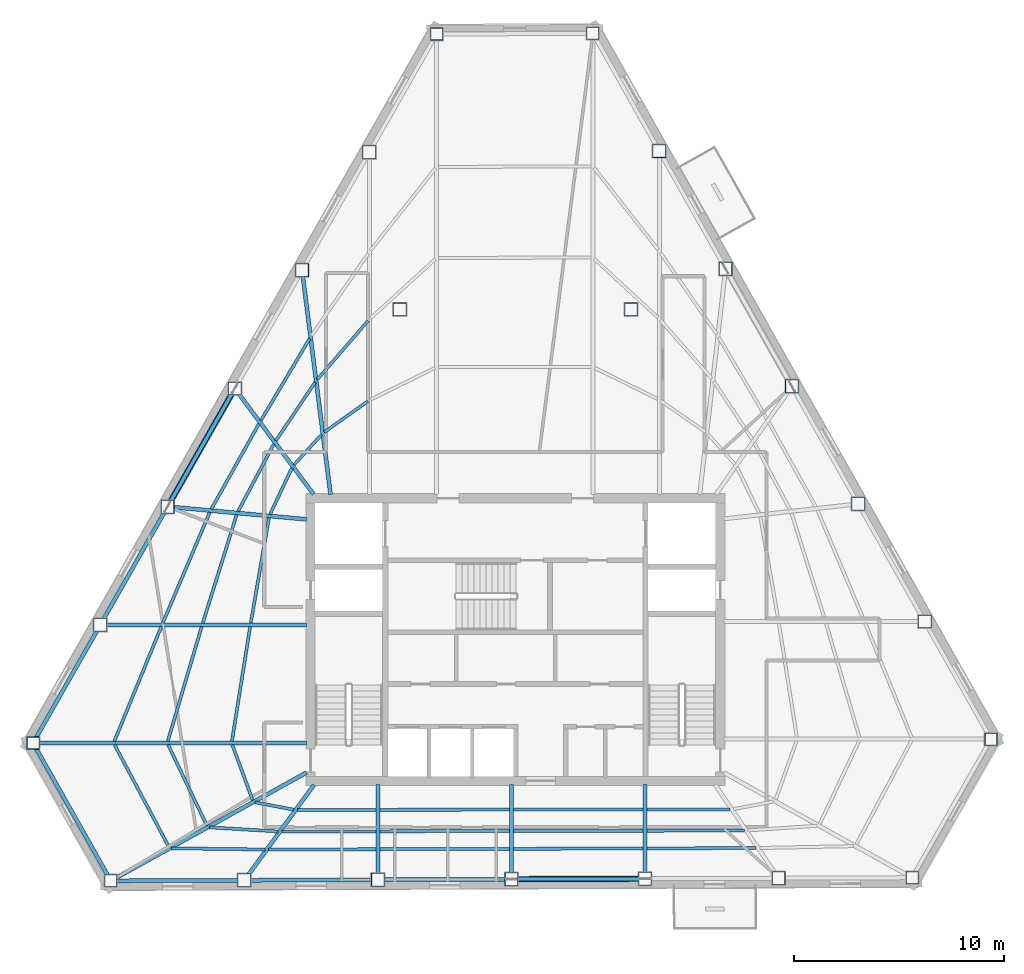
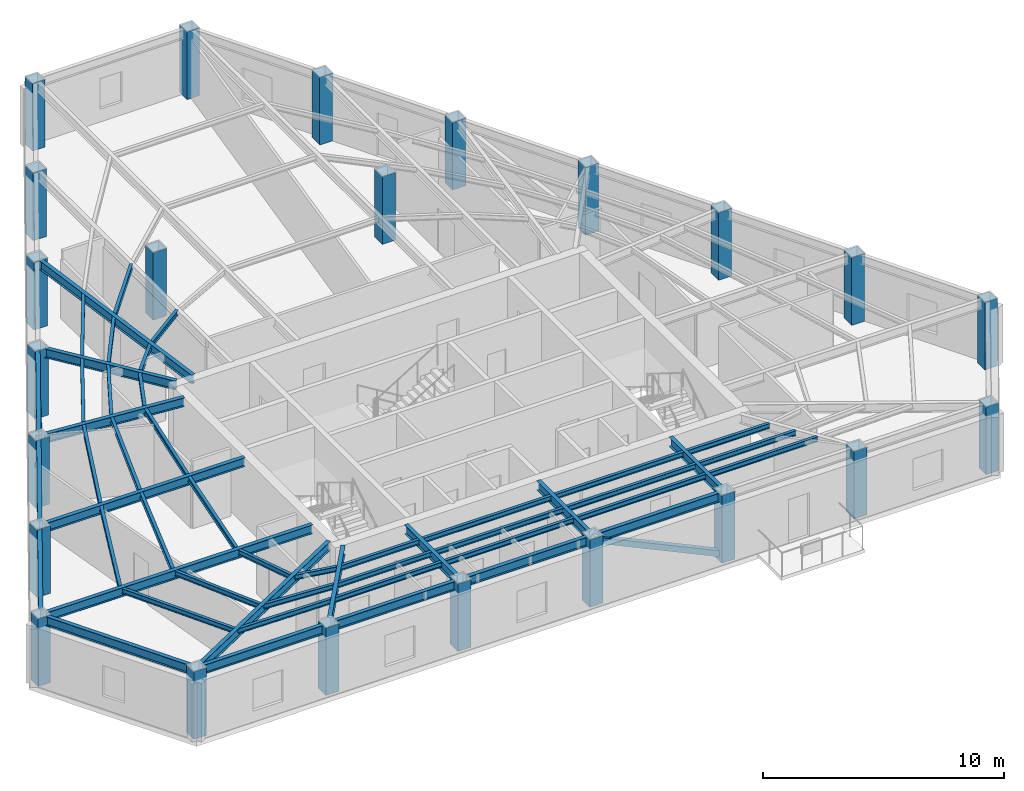
# One storey, part 1 of 10: 50 beams, 23 columns, 2 members.
"""IFC4 building model written with IfcOpenShell, lengths in metres."""

from ifc_helpers import new_model, si_unit, direction, frame, origin, origin_2d, place, context, subcontext, project, spatial, hollow_rectangle, i_section, extrude, material, material_profile, profile_set, type_object, element, save


model = new_model("IFC4")

# Units and contexts
model_context = context("Model", 3, precision=1e-05, world=origin(), true_north=direction((0.0, 1.0)))
body_context = subcontext(model_context, "Body", "Model", "MODEL_VIEW")
ifc_project = project(units=[si_unit("LENGTHUNIT", "METRE"), si_unit("AREAUNIT", "SQUARE_METRE"), si_unit("VOLUMEUNIT", "CUBIC_METRE"), si_unit("PLANEANGLEUNIT", "RADIAN"), si_unit("MASSUNIT", "GRAM", prefix="KILO")], contexts=[model_context])

# Site, building, storey
site_placement = place(None, origin())
site = spatial("IfcSite", under=ifc_project, at=site_placement, CompositionType="ELEMENT")
building_placement = place(site_placement, origin())
building = spatial("IfcBuilding", under=site, at=building_placement, Name="Kavelnor Concourse Tower", CompositionType="ELEMENT")
storey_placement = place(building_placement, frame((0.0, 0.0, 230.449951171875)))
storey = spatial("IfcBuildingStorey", under=building, at=storey_placement, Name="L58", CompositionType="ELEMENT", Elevation=230.449951171875)

# Columns
ifc_material = material(Name="Steel Grade 350", Category="steel")
ifc_material_profile_1 = material_profile(ifc_material, hollow_rectangle(XDim=0.60009765625, YDim=0.60009765625, WallThickness=0.028076171875, at=origin_2d()), Name="SHS 600x600x28")
ifc_profile_set_1 = profile_set([ifc_material_profile_1], Name="Steel Grade 350")
column_type_1 = type_object("IfcColumnType", Name="COL-FOLD-Z3", PredefinedType="COLUMN", material=ifc_profile_set_1)
for number, where, z_axis, x_axis, name in (
    (1, (34.25634765625, 44.89892578125, 0.0), (0.0, 0.0, 1.0), (1.0, 0.0, 0.0), "L58 Perimeter Corner-Fold Column F0-B0"),
    (2, (15.06494140625, 11.18408203125, 0.0), (0.0, 0.0, 1.0), (1.0, 0.0, 0.0), "L58 Perimeter Corner-Fold Column F0-B6"),
    (3, (18.76220703125, 4.62939453125, 0.0), (0.0, 0.0, 1.0), (1.0, 0.0, 0.0), "L58 Perimeter Corner-Fold Column F1-B0"),
    (4, (56.867431640625, 4.778564453125, 0.0), (0.0, 0.0, 1.0), (1.0, 0.0, 0.0), "L58 Perimeter Corner-Fold Column F1-B6"),
    (5, (60.618896484375, 11.368896484375, 0.0), (0.0, 0.0, 1.0), (1.0, 0.0, 0.0), "L58 Perimeter Corner-Fold Column F2-B0"),
    (6, (41.689453125, 44.927978515625, 0.0), (0.0, 0.0, 1.0), (1.0, 0.0, 0.0), "L58 Perimeter Corner-Fold Column F2-B6"),
):
    element("IfcColumn", number, at=place(storey_placement, frame(where, z_axis=z_axis, x_axis=x_axis)), inside=storey, type_object=column_type_1, Name=name, PredefinedType="COLUMN", context=body_context, shape_type="SweptSolid", body=[
        extrude(hollow_rectangle(XDim=0.60009765625, YDim=0.60009765625, WallThickness=0.028076171875, at=origin_2d()), origin(), (0.0, 0.0, 1.0), 3.429931640625),
    ])
ifc_material_profile_2 = material_profile(ifc_material, hollow_rectangle(XDim=0.639892578125, YDim=0.639892578125, WallThickness=0.028076171875, at=origin_2d()), Name="SHS 640x640x28")
ifc_profile_set_2 = profile_set([ifc_material_profile_2], Name="Steel Grade 350")
column_type_2 = type_object("IfcColumnType", Name="COL-TUBE-Z3", PredefinedType="COLUMN", material=ifc_profile_set_2)
for number, where, z_axis, x_axis, name in (
    (7, (31.057861328125, 39.27978515625, 0.0), (0.0, 0.0, 1.0), (1.0, 0.0, 0.0), "L58 Perimeter Framed-Tube Column F0-B1"),
    (8, (27.859375, 33.66064453125, 0.0), (0.0, 0.0, 1.0), (1.0, 0.0, 0.0), "L58 Perimeter Framed-Tube Column F0-B2"),
    (9, (24.66064453125, 28.04150390625, 0.0), (0.0, 0.0, 1.0), (1.0, 0.0, 0.0), "L58 Perimeter Framed-Tube Column F0-B3"),
    (10, (21.462158203125, 22.42236328125, 0.0), (0.0, 0.0, 1.0), (1.0, 0.0, 0.0), "L58 Perimeter Framed-Tube Column F0-B4"),
    (11, (18.263671875, 16.80322265625, 0.0), (0.0, 0.0, 1.0), (1.0, 0.0, 0.0), "L58 Perimeter Framed-Tube Column F0-B5"),
    (12, (25.113037109375, 4.654296875, 0.0), (0.0, 0.0, 1.0), (1.0, 0.0, 0.0), "L58 Perimeter Framed-Tube Column F1-B1"),
    (13, (31.464111328125, 4.67919921875, 0.0), (0.0, 0.0, 1.0), (1.0, 0.0, 0.0), "L58 Perimeter Framed-Tube Column F1-B2"),
    (14, (37.814697265625, 4.7041015625, 0.0), (0.0, 0.0, 1.0), (1.0, 0.0, 0.0), "L58 Perimeter Framed-Tube Column F1-B3"),
    (15, (44.165771484375, 4.728759765625, 0.0), (0.0, 0.0, 1.0), (1.0, 0.0, 0.0), "L58 Perimeter Framed-Tube Column F1-B4"),
    (16, (50.5166015625, 4.753662109375, 0.0), (0.0, 0.0, 1.0), (1.0, 0.0, 0.0), "L58 Perimeter Framed-Tube Column F1-B5"),
    (17, (57.464111328125, 16.9619140625, 0.0), (0.0, 0.0, 1.0), (1.0, 0.0, 0.0), "L58 Perimeter Framed-Tube Column F2-B1"),
    (18, (54.30908203125, 22.55517578125, 0.0), (0.0, 0.0, 1.0), (1.0, 0.0, 0.0), "L58 Perimeter Framed-Tube Column F2-B2"),
    (19, (51.154296875, 28.1484375, 0.0), (0.0, 0.0, 1.0), (1.0, 0.0, 0.0), "L58 Perimeter Framed-Tube Column F2-B3"),
    (20, (47.999267578125, 33.74169921875, 0.0), (0.0, 0.0, 1.0), (1.0, 0.0, 0.0), "L58 Perimeter Framed-Tube Column F2-B4"),
    (21, (44.844482421875, 39.334716796875, 0.0), (0.0, 0.0, 1.0), (1.0, 0.0, 0.0), "L58 Perimeter Framed-Tube Column F2-B5"),
    (22, (32.5, 31.800048828125, 0.0), (0.0, 0.0, 1.0), (1.0, 0.0, 0.0), "L58 North Interior Gravity Column BC-NW"),
    (23, (43.5, 31.800048828125, 0.0), (0.0, 0.0, 1.0), (1.0, 0.0, 0.0), "L58 North Interior Gravity Column BC-NE"),
):
    element("IfcColumn", number, at=place(storey_placement, frame(where, z_axis=z_axis, x_axis=x_axis)), inside=storey, type_object=column_type_2, Name=name, PredefinedType="COLUMN", context=body_context, shape_type="SweptSolid", body=[
        extrude(hollow_rectangle(XDim=0.639892578125, YDim=0.639892578125, WallThickness=0.028076171875, at=origin_2d()), origin(), (0.0, 0.0, 1.0), 3.429931640625),
    ])

# Beams
ifc_material_profile_3 = material_profile(ifc_material, i_section(OverallWidth=0.14599609375, OverallDepth=0.256103515625, WebThickness=0.00634765625, FlangeThickness=0.010986328125, at=origin_2d()), Name="250UB37")
ifc_profile_set_3 = profile_set([ifc_material_profile_3], Name="Steel Grade 350")
beam_type_1 = type_object("IfcBeamType", Name="BM-JOIST-250", PredefinedType="JOIST", material=ifc_profile_set_3)
beam_1_placement = place(storey_placement, frame((24.539306640625, 11.1005859375, 3.302001953125), z_axis=(0.345476061477, -0.938427562972, 0.0), x_axis=(0.938427562972, 0.345476061477, 0.0)))
element("IfcBeam", 24, at=beam_1_placement, inside=storey, type_object=beam_type_1, Name="L58 Secondary Composite Joist 01-1", PredefinedType="JOIST", context=body_context, shape_type="SweptSolid", body=[
    extrude(i_section(OverallWidth=0.14599609375, OverallDepth=0.256103515625, WebThickness=0.00634765625, FlangeThickness=0.010986328125, at=origin_2d()), origin(), (0.0, 0.0, 1.0), 2.8125),
])
beam_2_placement = place(storey_placement, frame((21.48583984375, 11.10400390625, 3.302001953125), z_axis=(0.432597123517, -0.901587338378, 0.0), x_axis=(0.901587338378, 0.432597123517, 0.0)))
element("IfcBeam", 25, at=beam_2_placement, inside=storey, type_object=beam_type_1, Name="L58 Secondary Composite Joist 01-2", PredefinedType="JOIST", context=body_context, shape_type="SweptSolid", body=[
    extrude(i_section(OverallWidth=0.14599609375, OverallDepth=0.256103515625, WebThickness=0.00634765625, FlangeThickness=0.010986328125, at=origin_2d()), origin(), (0.0, 0.0, 1.0), 4.2666015625),
])
beam_3_placement = place(storey_placement, frame((18.938232421875, 11.10546875, 3.302001953125), z_axis=(0.46971614764, -0.882817501325, 0.0), x_axis=(0.882817501325, 0.46971614764, 0.0)))
element("IfcBeam", 26, at=beam_3_placement, inside=storey, type_object=beam_type_1, Name="L58 Secondary Composite Joist 01-3", PredefinedType="JOIST", context=body_context, shape_type="SweptSolid", body=[
    extrude(i_section(OverallWidth=0.14599609375, OverallDepth=0.256103515625, WebThickness=0.00634765625, FlangeThickness=0.010986328125, at=origin_2d()), origin(), (0.0, 0.0, 1.0), 5.493896484375),
])
beam_4_placement = place(storey_placement, frame((25.629150390625, 8.361083984375, 3.302001953125), z_axis=(0.98251990808, -0.186157541419, 0.0), x_axis=(0.186157541419, 0.98251990808, 0.0)))
element("IfcBeam", 27, at=beam_4_placement, inside=storey, type_object=beam_type_1, Name="L58 Secondary Composite Joist 02-1", PredefinedType="JOIST", context=body_context, shape_type="SweptSolid", body=[
    extrude(i_section(OverallWidth=0.14599609375, OverallDepth=0.256103515625, WebThickness=0.00634765625, FlangeThickness=0.010986328125, at=origin_2d()), origin(), (0.0, 0.0, 1.0), 1.868896484375),
])
beam_5_placement = place(storey_placement, frame((23.458984375, 7.171875, 3.302001953125), z_axis=(0.998215566115, -0.059713344959, 0.0), x_axis=(0.059713344959, 0.998215566115, 0.0)))
element("IfcBeam", 28, at=beam_5_placement, inside=storey, type_object=beam_type_1, Name="L58 Secondary Composite Joist 02-2", PredefinedType="JOIST", context=body_context, shape_type="SweptSolid", body=[
    extrude(i_section(OverallWidth=0.14599609375, OverallDepth=0.256103515625, WebThickness=0.00634765625, FlangeThickness=0.010986328125, at=origin_2d()), origin(), (0.0, 0.0, 1.0), 3.2626953125),
])
beam_6_placement = place(storey_placement, frame((21.649658203125, 6.175537109375, 3.302001953125), z_axis=(0.999918736889, -0.012748318237, 0.0), x_axis=(0.012748318237, 0.999918736889, 0.0)))
element("IfcBeam", 29, at=beam_6_placement, inside=storey, type_object=beam_type_1, Name="L58 Secondary Composite Joist 02-3", PredefinedType="JOIST", context=body_context, shape_type="SweptSolid", body=[
    extrude(i_section(OverallWidth=0.14599609375, OverallDepth=0.256103515625, WebThickness=0.00634765625, FlangeThickness=0.010986328125, at=origin_2d()), origin(), (0.0, 0.0, 1.0), 4.44287109375),
])
beam_7_placement = place(storey_placement, frame((27.6416015625, 7.996826171875, 3.302001953125), z_axis=(0.999996578952, 0.002615737847, 0.0), x_axis=(-0.002615737847, 0.999996578952, 0.0)))
element("IfcBeam", 30, at=beam_7_placement, inside=storey, type_object=beam_type_1, Name="L58 Secondary Composite Joist 03-1", PredefinedType="JOIST", context=body_context, shape_type="SweptSolid", body=[
    extrude(i_section(OverallWidth=0.14599609375, OverallDepth=0.256103515625, WebThickness=0.00634765625, FlangeThickness=0.010986328125, at=origin_2d()), origin(), (0.0, 0.0, 1.0), 3.7333984375),
])
beam_8_placement = place(storey_placement, frame((26.893798828125, 6.971923828125, 3.302001953125), z_axis=(0.999996289787, 0.002724043285, 0.0), x_axis=(-0.002724043285, 0.999996289787, 0.0)))
element("IfcBeam", 31, at=beam_8_placement, inside=storey, type_object=beam_type_1, Name="L58 Secondary Composite Joist 03-2", PredefinedType="JOIST", context=body_context, shape_type="SweptSolid", body=[
    extrude(i_section(OverallWidth=0.14599609375, OverallDepth=0.256103515625, WebThickness=0.00634765625, FlangeThickness=0.010986328125, at=origin_2d()), origin(), (0.0, 0.0, 1.0), 4.481201171875),
])
beam_9_placement = place(storey_placement, frame((26.270263671875, 6.117919921875, 3.302001953125), z_axis=(0.999996152692, 0.002773914432, 0.0), x_axis=(-0.002773914432, 0.999996152692, 0.0)))
element("IfcBeam", 32, at=beam_9_placement, inside=storey, type_object=beam_type_1, Name="L58 Secondary Composite Joist 03-3", PredefinedType="JOIST", context=body_context, shape_type="SweptSolid", body=[
    extrude(i_section(OverallWidth=0.14599609375, OverallDepth=0.256103515625, WebThickness=0.00634765625, FlangeThickness=0.010986328125, at=origin_2d()), origin(), (0.0, 0.0, 1.0), 5.104736328125),
])
for number, where, z_axis, x_axis, name in (
    (33, (31.552978515625, 8.007080078125, 3.302001953125), (0.999999386811, 0.001107419033, 0.0), (-0.001107419033, 0.999999386811, 0.0), "L58 Secondary Composite Joist 04-1"),
    (34, (31.552978515625, 6.984619140625, 3.302001953125), (0.999997965688, 0.002017081801, 0.0), (-0.002017081801, 0.999997965688, 0.0), "L58 Secondary Composite Joist 04-2"),
    (35, (31.552978515625, 6.132568359375, 3.302001953125), (0.999996057311, 0.002808088913, 0.0), (-0.002808088913, 0.999996057311, 0.0), "L58 Secondary Composite Joist 04-3"),
    (36, (37.90380859375, 8.013916015625, 3.302001953125), (0.999999386811, 0.001107419033, 0.0), (-0.001107419033, 0.999999386811, 0.0), "L58 Secondary Composite Joist 05-1"),
    (37, (37.90380859375, 6.99755859375, 3.302001953125), (0.999997965688, 0.002017081801, 0.0), (-0.002017081801, 0.999997965688, 0.0), "L58 Secondary Composite Joist 05-2"),
    (38, (37.90380859375, 6.150390625, 3.302001953125), (0.999996057311, 0.002808088913, 0.0), (-0.002808088913, 0.999996057311, 0.0), "L58 Secondary Composite Joist 05-3"),
):
    element("IfcBeam", number, at=place(storey_placement, frame(where, z_axis=z_axis, x_axis=x_axis)), inside=storey, type_object=beam_type_1, Name=name, PredefinedType="JOIST", context=body_context, shape_type="SweptSolid", body=[
        extrude(i_section(OverallWidth=0.14599609375, OverallDepth=0.256103515625, WebThickness=0.00634765625, FlangeThickness=0.010986328125, at=origin_2d()), origin(), (0.0, 0.0, 1.0), 6.1728515625),
    ])
beam_10_placement = place(storey_placement, frame((44.254638671875, 8.02099609375, 3.302001953125), z_axis=(0.999999571278, 0.000925982688, 0.0), x_axis=(-0.000925982688, 0.999999571278, 0.0)))
element("IfcBeam", 39, at=beam_10_placement, inside=storey, type_object=beam_type_1, Name="L58 Secondary Composite Joist 06-1", PredefinedType="JOIST", context=body_context, shape_type="SweptSolid", body=[
    extrude(i_section(OverallWidth=0.14599609375, OverallDepth=0.256103515625, WebThickness=0.00634765625, FlangeThickness=0.010986328125, at=origin_2d()), origin(), (0.0, 0.0, 1.0), 3.954833984375),
])
beam_11_placement = place(storey_placement, frame((44.254638671875, 7.010498046875, 3.302001953125), z_axis=(0.999996246972, 0.002739715745, 0.0), x_axis=(-0.002739715745, 0.999996246972, 0.0)))
element("IfcBeam", 40, at=beam_11_placement, inside=storey, type_object=beam_type_1, Name="L58 Secondary Composite Joist 06-2", PredefinedType="JOIST", context=body_context, shape_type="SweptSolid", body=[
    extrude(i_section(OverallWidth=0.14599609375, OverallDepth=0.256103515625, WebThickness=0.00634765625, FlangeThickness=0.010986328125, at=origin_2d()), origin(), (0.0, 0.0, 1.0), 4.6337890625),
])
beam_12_placement = place(storey_placement, frame((44.254638671875, 6.168212890625, 3.302001953125), z_axis=(0.999992222395, 0.003944001628, 0.0), x_axis=(-0.003944001628, 0.999992222395, 0.0)))
element("IfcBeam", 41, at=beam_12_placement, inside=storey, type_object=beam_type_1, Name="L58 Secondary Composite Joist 06-3", PredefinedType="JOIST", context=body_context, shape_type="SweptSolid", body=[
    extrude(i_section(OverallWidth=0.14599609375, OverallDepth=0.256103515625, WebThickness=0.00634765625, FlangeThickness=0.010986328125, at=origin_2d()), origin(), (0.0, 0.0, 1.0), 5.19970703125),
])
beam_13_placement = place(storey_placement, frame((30.9853515625, 27.43408203125, 3.302001953125), z_axis=(-0.815070416779, -0.5793619039, 0.0), x_axis=(0.5793619039, -0.815070416779, 0.0)))
element("IfcBeam", 42, at=beam_13_placement, inside=storey, type_object=beam_type_1, Name="L58 Secondary Composite Joist 17-1", PredefinedType="JOIST", context=body_context, shape_type="SweptSolid", body=[
    extrude(i_section(OverallWidth=0.14599609375, OverallDepth=0.256103515625, WebThickness=0.00634765625, FlangeThickness=0.010986328125, at=origin_2d()), origin(), (0.0, 0.0, 1.0), 2.53759765625),
])
beam_14_placement = place(storey_placement, frame((30.99951171875, 31.262939453125, 3.302001953125), z_axis=(-0.654675915369, -0.755909681004, 0.0), x_axis=(0.755909681004, -0.654675915369, 0.0)))
element("IfcBeam", 43, at=beam_14_placement, inside=storey, type_object=beam_type_1, Name="L58 Secondary Composite Joist 17-2", PredefinedType="JOIST", context=body_context, shape_type="SweptSolid", body=[
    extrude(i_section(OverallWidth=0.14599609375, OverallDepth=0.256103515625, WebThickness=0.00634765625, FlangeThickness=0.010986328125, at=origin_2d()), origin(), (0.0, 0.0, 1.0), 3.6875),
])
beam_15_placement = place(storey_placement, frame((28.784423828125, 25.846435546875, 3.302001953125), z_axis=(-0.67360272088, -0.739093616819, 0.0), x_axis=(0.739093616819, -0.67360272088, 0.0)))
element("IfcBeam", 44, at=beam_15_placement, inside=storey, type_object=beam_type_1, Name="L58 Secondary Composite Joist 18-1", PredefinedType="JOIST", context=body_context, shape_type="SweptSolid", body=[
    extrude(i_section(OverallWidth=0.14599609375, OverallDepth=0.256103515625, WebThickness=0.00634765625, FlangeThickness=0.010986328125, at=origin_2d()), origin(), (0.0, 0.0, 1.0), 1.946044921875),
])
beam_16_placement = place(storey_placement, frame((28.477294921875, 28.33447265625, 3.302001953125), z_axis=(-0.557897879388, -0.829909607231, 0.0), x_axis=(0.829909607231, -0.557897879388, 0.0)))
element("IfcBeam", 45, at=beam_16_placement, inside=storey, type_object=beam_type_1, Name="L58 Secondary Composite Joist 18-2", PredefinedType="JOIST", context=body_context, shape_type="SweptSolid", body=[
    extrude(i_section(OverallWidth=0.14599609375, OverallDepth=0.256103515625, WebThickness=0.00634765625, FlangeThickness=0.010986328125, at=origin_2d()), origin(), (0.0, 0.0, 1.0), 3.34326171875),
])
beam_17_placement = place(storey_placement, frame((28.217041015625, 30.411865234375, 3.302001953125), z_axis=(-0.511348476248, -0.859373455396, 0.0), x_axis=(0.859373455396, -0.511348476248, 0.0)))
element("IfcBeam", 46, at=beam_17_placement, inside=storey, type_object=beam_type_1, Name="L58 Secondary Composite Joist 18-3", PredefinedType="JOIST", context=body_context, shape_type="SweptSolid", body=[
    extrude(i_section(OverallWidth=0.14599609375, OverallDepth=0.256103515625, WebThickness=0.00634765625, FlangeThickness=0.010986328125, at=origin_2d()), origin(), (0.0, 0.0, 1.0), 4.533935546875),
])
beam_18_placement = place(storey_placement, frame((27.375732421875, 24.26171875, 3.302001953125), z_axis=(-0.426705409573, -0.904390675229, 0.0), x_axis=(0.904390675229, -0.426705409573, 0.0)))
element("IfcBeam", 47, at=beam_18_placement, inside=storey, type_object=beam_type_1, Name="L58 Secondary Composite Joist 19-1", PredefinedType="JOIST", context=body_context, shape_type="SweptSolid", body=[
    extrude(i_section(OverallWidth=0.14599609375, OverallDepth=0.256103515625, WebThickness=0.00634765625, FlangeThickness=0.010986328125, at=origin_2d()), origin(), (0.0, 0.0, 1.0), 2.432861328125),
])
beam_19_placement = place(storey_placement, frame((26.520751953125, 25.407470703125, 3.302001953125), z_axis=(-0.469248561414, -0.883066128674, 0.0), x_axis=(0.883066128674, -0.469248561414, 0.0)))
element("IfcBeam", 48, at=beam_19_placement, inside=storey, type_object=beam_type_1, Name="L58 Secondary Composite Joist 19-2", PredefinedType="JOIST", context=body_context, shape_type="SweptSolid", body=[
    extrude(i_section(OverallWidth=0.14599609375, OverallDepth=0.256103515625, WebThickness=0.00634765625, FlangeThickness=0.010986328125, at=origin_2d()), origin(), (0.0, 0.0, 1.0), 3.633544921875),
])
beam_20_placement = place(storey_placement, frame((25.809814453125, 26.361572265625, 3.302001953125), z_axis=(-0.48815286195, -0.872758147123, 0.0), x_axis=(0.872758147123, -0.48815286195, 0.0)))
element("IfcBeam", 49, at=beam_20_placement, inside=storey, type_object=beam_type_1, Name="L58 Secondary Composite Joist 19-3", PredefinedType="JOIST", context=body_context, shape_type="SweptSolid", body=[
    extrude(i_section(OverallWidth=0.14599609375, OverallDepth=0.256103515625, WebThickness=0.00634765625, FlangeThickness=0.010986328125, at=origin_2d()), origin(), (0.0, 0.0, 1.0), 4.6376953125),
])
beam_21_placement = place(storey_placement, frame((26.284423828125, 21.893310546875, 3.302001953125), z_axis=(-0.170385193051, -0.985377534749, 0.0), x_axis=(0.985377534749, -0.170385193051, 0.0)))
element("IfcBeam", 50, at=beam_21_placement, inside=storey, type_object=beam_type_1, Name="L58 Secondary Composite Joist 20-1", PredefinedType="JOIST", context=body_context, shape_type="SweptSolid", body=[
    extrude(i_section(OverallWidth=0.14599609375, OverallDepth=0.256103515625, WebThickness=0.00634765625, FlangeThickness=0.010986328125, at=origin_2d()), origin(), (0.0, 0.0, 1.0), 5.07666015625),
])
beam_22_placement = place(storey_placement, frame((24.747314453125, 22.035400390625, 3.302001953125), z_axis=(-0.298545625438, -0.954395363323, 0.0), x_axis=(0.954395363323, -0.298545625438, 0.0)))
element("IfcBeam", 51, at=beam_22_placement, inside=storey, type_object=beam_type_1, Name="L58 Secondary Composite Joist 20-2", PredefinedType="JOIST", context=body_context, shape_type="SweptSolid", body=[
    extrude(i_section(OverallWidth=0.14599609375, OverallDepth=0.256103515625, WebThickness=0.00634765625, FlangeThickness=0.010986328125, at=origin_2d()), origin(), (0.0, 0.0, 1.0), 5.39306640625),
])
beam_23_placement = place(storey_placement, frame((23.4677734375, 22.154296875, 3.302001953125), z_axis=(-0.390281431094, -0.920695609061, 0.0), x_axis=(0.920695609061, -0.390281431094, 0.0)))
element("IfcBeam", 52, at=beam_23_placement, inside=storey, type_object=beam_type_1, Name="L58 Secondary Composite Joist 20-3", PredefinedType="JOIST", context=body_context, shape_type="SweptSolid", body=[
    extrude(i_section(OverallWidth=0.14599609375, OverallDepth=0.256103515625, WebThickness=0.00634765625, FlangeThickness=0.010986328125, at=origin_2d()), origin(), (0.0, 0.0, 1.0), 5.72314453125),
])
beam_24_placement = place(storey_placement, frame((25.39013671875, 16.71533203125, 3.302001953125), z_axis=(-0.157370309564, -0.987539662833, 0.0), x_axis=(0.987539662833, -0.157370309564, 0.0)))
element("IfcBeam", 53, at=beam_24_placement, inside=storey, type_object=beam_type_1, Name="L58 Secondary Composite Joist 21-1", PredefinedType="JOIST", context=body_context, shape_type="SweptSolid", body=[
    extrude(i_section(OverallWidth=0.14599609375, OverallDepth=0.256103515625, WebThickness=0.00634765625, FlangeThickness=0.010986328125, at=origin_2d()), origin(), (0.0, 0.0, 1.0), 5.511962890625),
])
beam_25_placement = place(storey_placement, frame((23.08544921875, 16.718017578125, 3.302001953125), z_axis=(-0.283822081025, -0.958876960993, 0.0), x_axis=(0.958876960993, -0.283822081025, 0.0)))
element("IfcBeam", 54, at=beam_25_placement, inside=storey, type_object=beam_type_1, Name="L58 Secondary Composite Joist 21-2", PredefinedType="JOIST", context=body_context, shape_type="SweptSolid", body=[
    extrude(i_section(OverallWidth=0.14599609375, OverallDepth=0.256103515625, WebThickness=0.00634765625, FlangeThickness=0.010986328125, at=origin_2d()), origin(), (0.0, 0.0, 1.0), 5.682373046875),
])
beam_26_placement = place(storey_placement, frame((21.16552734375, 16.720703125, 3.302001953125), z_axis=(-0.379232719117, -0.925301326461, 0.0), x_axis=(0.925301326461, -0.379232719117, 0.0)))
element("IfcBeam", 55, at=beam_26_placement, inside=storey, type_object=beam_type_1, Name="L58 Secondary Composite Joist 21-3", PredefinedType="JOIST", context=body_context, shape_type="SweptSolid", body=[
    extrude(i_section(OverallWidth=0.14599609375, OverallDepth=0.256103515625, WebThickness=0.00634765625, FlangeThickness=0.010986328125, at=origin_2d()), origin(), (0.0, 0.0, 1.0), 5.894287109375),
])
ifc_material_profile_4 = material_profile(ifc_material, i_section(OverallWidth=0.18994140625, OverallDepth=0.4541015625, WebThickness=0.008544921875, FlangeThickness=0.0126953125, at=origin_2d()), Name="460UB67")
ifc_profile_set_4 = profile_set([ifc_material_profile_4], Name="Steel Grade 350")
beam_type_2 = type_object("IfcBeamType", Name="BM-PRIMARY-460", PredefinedType="BEAM", material=ifc_profile_set_4)
beam_27_placement = place(storey_placement, frame((29.214599609375, 23.000244140625, 3.203125), z_axis=(-0.126123865314, 0.992014501204, 0.0), x_axis=(-0.992014501204, -0.126123865314, 0.0)))
element("IfcBeam", 56, at=beam_27_placement, inside=storey, type_object=beam_type_2, Name="L58 Primary Floor Girder F0-B2", PredefinedType="BEAM", context=body_context, shape_type="SweptSolid", body=[
    extrude(i_section(OverallWidth=0.18994140625, OverallDepth=0.4541015625, WebThickness=0.008544921875, FlangeThickness=0.0126953125, at=origin_2d()), origin(), (0.0, 0.0, 1.0), 10.48388671875),
])
beam_28_placement = place(storey_placement, frame((28.40673828125, 23.0078125, 3.203125), z_axis=(-0.59700400338, 0.802238256348, 0.0), x_axis=(-0.802238256348, -0.59700400338, 0.0)))
element("IfcBeam", 57, at=beam_28_placement, inside=storey, type_object=beam_type_2, Name="L58 Primary Floor Girder F0-B3", PredefinedType="BEAM", context=body_context, shape_type="SweptSolid", body=[
    extrude(i_section(OverallWidth=0.18994140625, OverallDepth=0.4541015625, WebThickness=0.008544921875, FlangeThickness=0.0126953125, at=origin_2d()), origin(), (0.0, 0.0, 1.0), 5.940673828125),
])
beam_29_placement = place(storey_placement, frame((28.079833984375, 21.818603515625, 3.203125), z_axis=(-0.995863058137, 0.090866767517, 0.0), x_axis=(-0.090866767517, -0.995863058137, 0.0)))
element("IfcBeam", 58, at=beam_29_placement, inside=storey, type_object=beam_type_2, Name="L58 Primary Floor Girder F0-B4", PredefinedType="BEAM", context=body_context, shape_type="SweptSolid", body=[
    extrude(i_section(OverallWidth=0.18994140625, OverallDepth=0.4541015625, WebThickness=0.008544921875, FlangeThickness=0.0126953125, at=origin_2d()), origin(), (0.0, 0.0, 1.0), 6.3837890625),
])
beam_30_placement = place(storey_placement, frame((28.080078125, 16.80322265625, 3.203125), z_axis=(-1.0, 0.0, 0.0), x_axis=(0.0, -1.0, 0.0)))
element("IfcBeam", 59, at=beam_30_placement, inside=storey, type_object=beam_type_2, Name="L58 Primary Floor Girder F0-B5", PredefinedType="BEAM", context=body_context, shape_type="SweptSolid", body=[
    extrude(i_section(OverallWidth=0.18994140625, OverallDepth=0.4541015625, WebThickness=0.008544921875, FlangeThickness=0.0126953125, at=origin_2d()), origin(), (0.0, 0.0, 1.0), 9.556396484375),
])
beam_31_placement = place(storey_placement, frame((28.080078125, 11.18408203125, 3.203125), z_axis=(-1.0, 0.0, 0.0), x_axis=(0.0, -1.0, 0.0)))
element("IfcBeam", 60, at=beam_31_placement, inside=storey, type_object=beam_type_2, Name="L58 Primary Floor Girder F0-B6", PredefinedType="BEAM", context=body_context, shape_type="SweptSolid", body=[
    extrude(i_section(OverallWidth=0.18994140625, OverallDepth=0.4541015625, WebThickness=0.008544921875, FlangeThickness=0.0126953125, at=origin_2d()), origin(), (0.0, 0.0, 1.0), 12.755126953125),
])
beam_32_placement = place(storey_placement, frame((28.074951171875, 9.778564453125, 3.203125), z_axis=(-0.875136811348, -0.483875563986, 0.0), x_axis=(0.483875563986, -0.875136811348, 0.0)))
element("IfcBeam", 61, at=beam_32_placement, inside=storey, type_object=beam_type_2, Name="L58 Primary Floor Girder F1-B0", PredefinedType="BEAM", context=body_context, shape_type="SweptSolid", body=[
    extrude(i_section(OverallWidth=0.18994140625, OverallDepth=0.4541015625, WebThickness=0.008544921875, FlangeThickness=0.0126953125, at=origin_2d()), origin(), (0.0, 0.0, 1.0), 10.3388671875),
])
beam_33_placement = place(storey_placement, frame((28.425537109375, 9.1923828125, 3.203125), z_axis=(-0.589568423277, -0.807718437498, 0.0), x_axis=(0.807718437498, -0.589568423277, 0.0)))
element("IfcBeam", 62, at=beam_33_placement, inside=storey, type_object=beam_type_2, Name="L58 Primary Floor Girder F1-B1", PredefinedType="BEAM", context=body_context, shape_type="SweptSolid", body=[
    extrude(i_section(OverallWidth=0.18994140625, OverallDepth=0.4541015625, WebThickness=0.008544921875, FlangeThickness=0.0126953125, at=origin_2d()), origin(), (0.0, 0.0, 1.0), 5.286865234375),
])
beam_34_placement = place(storey_placement, frame((31.464111328125, 9.199951171875, 3.203125), z_axis=(0.0, -1.0, 0.0), x_axis=(1.0, 0.0, 0.0)))
element("IfcBeam", 63, at=beam_34_placement, inside=storey, type_object=beam_type_2, Name="L58 Primary Floor Girder F1-B2", PredefinedType="BEAM", context=body_context, shape_type="SweptSolid", body=[
    extrude(i_section(OverallWidth=0.18994140625, OverallDepth=0.4541015625, WebThickness=0.008544921875, FlangeThickness=0.0126953125, at=origin_2d()), origin(), (0.0, 0.0, 1.0), 4.2607421875),
])
beam_35_placement = place(storey_placement, frame((37.814697265625, 9.199951171875, 3.203125), z_axis=(0.0, -1.0, 0.0), x_axis=(1.0, 0.0, 0.0)))
element("IfcBeam", 64, at=beam_35_placement, inside=storey, type_object=beam_type_2, Name="L58 Primary Floor Girder F1-B3", PredefinedType="BEAM", context=body_context, shape_type="SweptSolid", body=[
    extrude(i_section(OverallWidth=0.18994140625, OverallDepth=0.4541015625, WebThickness=0.008544921875, FlangeThickness=0.0126953125, at=origin_2d()), origin(), (0.0, 0.0, 1.0), 4.23583984375),
])
beam_36_placement = place(storey_placement, frame((44.165771484375, 9.199951171875, 3.203125), z_axis=(0.0, -1.0, 0.0), x_axis=(1.0, 0.0, 0.0)))
element("IfcBeam", 65, at=beam_36_placement, inside=storey, type_object=beam_type_2, Name="L58 Primary Floor Girder F1-B4", PredefinedType="BEAM", context=body_context, shape_type="SweptSolid", body=[
    extrude(i_section(OverallWidth=0.18994140625, OverallDepth=0.4541015625, WebThickness=0.008544921875, FlangeThickness=0.0126953125, at=origin_2d()), origin(), (0.0, 0.0, 1.0), 4.211181640625),
])
ifc_material_profile_5 = material_profile(ifc_material, i_section(OverallWidth=0.19091796875, OverallDepth=0.4599609375, WebThickness=0.010009765625, FlangeThickness=0.01611328125, at=origin_2d()), Name="460UB82")
ifc_profile_set_5 = profile_set([ifc_material_profile_5], Name="Steel Grade 350")
beam_type_3 = type_object("IfcBeamType", Name="BM-SPANDREL-Z3", PredefinedType="SPANDREL", material=ifc_profile_set_5)
for number, where, z_axis, x_axis, name in (
    (66, (24.529541015625, 27.811279296875, 3.199951171875), (-0.494672099983, -0.86907969341, 0.0), (0.86907969341, -0.494672099983, 0.0), "L58 Perimeter Tube Spandrel Beam F0-B3"),
    (67, (21.3310546875, 22.192138671875, 3.199951171875), (-0.494672099983, -0.86907969341, 0.0), (0.86907969341, -0.494672099983, 0.0), "L58 Perimeter Tube Spandrel Beam F0-B4"),
):
    element("IfcBeam", number, at=place(storey_placement, frame(where, z_axis=z_axis, x_axis=x_axis)), inside=storey, type_object=beam_type_3, Name=name, PredefinedType="SPANDREL", context=body_context, shape_type="SweptSolid", body=[
        extrude(i_section(OverallWidth=0.19091796875, OverallDepth=0.4599609375, WebThickness=0.010009765625, FlangeThickness=0.01611328125, at=origin_2d()), origin(), (0.0, 0.0, 1.0), 5.935791015625),
    ])
beam_37_placement = place(storey_placement, frame((18.132568359375, 16.572998046875, 3.199951171875), z_axis=(-0.494703164604, -0.869062010981, 0.0), x_axis=(0.869062010981, -0.494703164604, 0.0)))
element("IfcBeam", 68, at=beam_37_placement, inside=storey, type_object=beam_type_3, Name="L58 Perimeter Tube Spandrel Beam F0-B5", PredefinedType="SPANDREL", context=body_context, shape_type="SweptSolid", body=[
    extrude(i_section(OverallWidth=0.19091796875, OverallDepth=0.4599609375, WebThickness=0.010009765625, FlangeThickness=0.01611328125, at=origin_2d()), origin(), (0.0, 0.0, 1.0), 5.93603515625),
])
beam_38_placement = place(storey_placement, frame((19.027099609375, 4.630615234375, 3.199951171875), z_axis=(0.999992393075, 0.003900486204, 0.0), x_axis=(-0.003900486204, 0.999992393075, 0.0)))
element("IfcBeam", 69, at=beam_38_placement, inside=storey, type_object=beam_type_3, Name="L58 Perimeter Tube Spandrel Beam F1-B0", PredefinedType="SPANDREL", context=body_context, shape_type="SweptSolid", body=[
    extrude(i_section(OverallWidth=0.19091796875, OverallDepth=0.4599609375, WebThickness=0.010009765625, FlangeThickness=0.01611328125, at=origin_2d()), origin(), (0.0, 0.0, 1.0), 5.821044921875),
])
for number, where, z_axis, x_axis, name in (
    (70, (25.378173828125, 4.6552734375, 3.199951171875), (0.999992227955, 0.003942591621, 0.0), (-0.003942591621, 0.999992227955, 0.0), "L58 Perimeter Tube Spandrel Beam F1-B1"),
    (71, (31.72900390625, 4.68017578125, 3.199951171875), (0.999992392437, 0.003900649799, 0.0), (-0.003900649799, 0.999992392437, 0.0), "L58 Perimeter Tube Spandrel Beam F1-B2"),
    (72, (38.079833984375, 4.705078125, 3.199951171875), (0.999992392437, 0.003900649799, 0.0), (-0.003900649799, 0.999992392437, 0.0), "L58 Perimeter Tube Spandrel Beam F1-B3"),
):
    element("IfcBeam", number, at=place(storey_placement, frame(where, z_axis=z_axis, x_axis=x_axis)), inside=storey, type_object=beam_type_3, Name=name, PredefinedType="SPANDREL", context=body_context, shape_type="SweptSolid", body=[
        extrude(i_section(OverallWidth=0.19091796875, OverallDepth=0.4599609375, WebThickness=0.010009765625, FlangeThickness=0.01611328125, at=origin_2d()), origin(), (0.0, 0.0, 1.0), 5.82080078125),
    ])
beam_39_placement = place(storey_placement, frame((15.1953125, 10.953369140625, 3.199951171875), z_axis=(0.491286565099, -0.8709979971, 0.0), x_axis=(0.8709979971, 0.491286565099, 0.0)))
element("IfcBeam", 73, at=beam_39_placement, inside=storey, type_object=beam_type_3, Name="L58 Chamfer Facet Spandrel Beam C1", PredefinedType="SPANDREL", context=body_context, shape_type="SweptSolid", body=[
    extrude(i_section(OverallWidth=0.19091796875, OverallDepth=0.4599609375, WebThickness=0.010009765625, FlangeThickness=0.01611328125, at=origin_2d()), origin(), (0.0, 0.0, 1.0), 6.995361328125),
])

# Members
ifc_material_profile_6 = material_profile(ifc_material, hollow_rectangle(XDim=0.280029296875, YDim=0.280029296875, WallThickness=0.01611328125, at=origin_2d()), Name="SHS 280x280x16")
ifc_profile_set_6 = profile_set([ifc_material_profile_6], Name="Steel Grade 350")
member_type = type_object("IfcMemberType", Name="MBR-TUBE-DIAG-Z3", PredefinedType="BRACE", material=ifc_profile_set_6)
member_1_placement = place(storey_placement, frame((24.66064453125, 28.04150390625, 0.219970703125), z_axis=(-0.44926575672, -0.789275677939, 0.418573988744), x_axis=(0.869071474541, -0.494686539275, 0.0)))
element("IfcMember", 74, at=member_1_placement, inside=storey, type_object=member_type, Name="L58 Framed-Tube Bracing Diagonal F0-B3", PredefinedType="BRACE", context=body_context, shape_type="SweptSolid", body=[
    extrude(hollow_rectangle(XDim=0.280029296875, YDim=0.280029296875, WallThickness=0.01611328125, at=origin_2d()), origin(), (0.0, 0.0, 1.0), 7.119384765625),
])
member_2_placement = place(storey_placement, frame((44.165771484375, 4.728759765625, 0.219970703125), z_axis=(-0.905293626813, -0.003514824952, 0.424771815518), x_axis=(0.003882495532, -0.999992463086, 0.0)))
element("IfcMember", 75, at=member_2_placement, inside=storey, type_object=member_type, Name="L58 Framed-Tube Bracing Diagonal F1-B3", PredefinedType="BRACE", context=body_context, shape_type="SweptSolid", body=[
    extrude(hollow_rectangle(XDim=0.280029296875, YDim=0.280029296875, WallThickness=0.01611328125, at=origin_2d()), origin(), (0.0, 0.0, 1.0), 7.015380859375),
])

save(model, "model.ifc")
